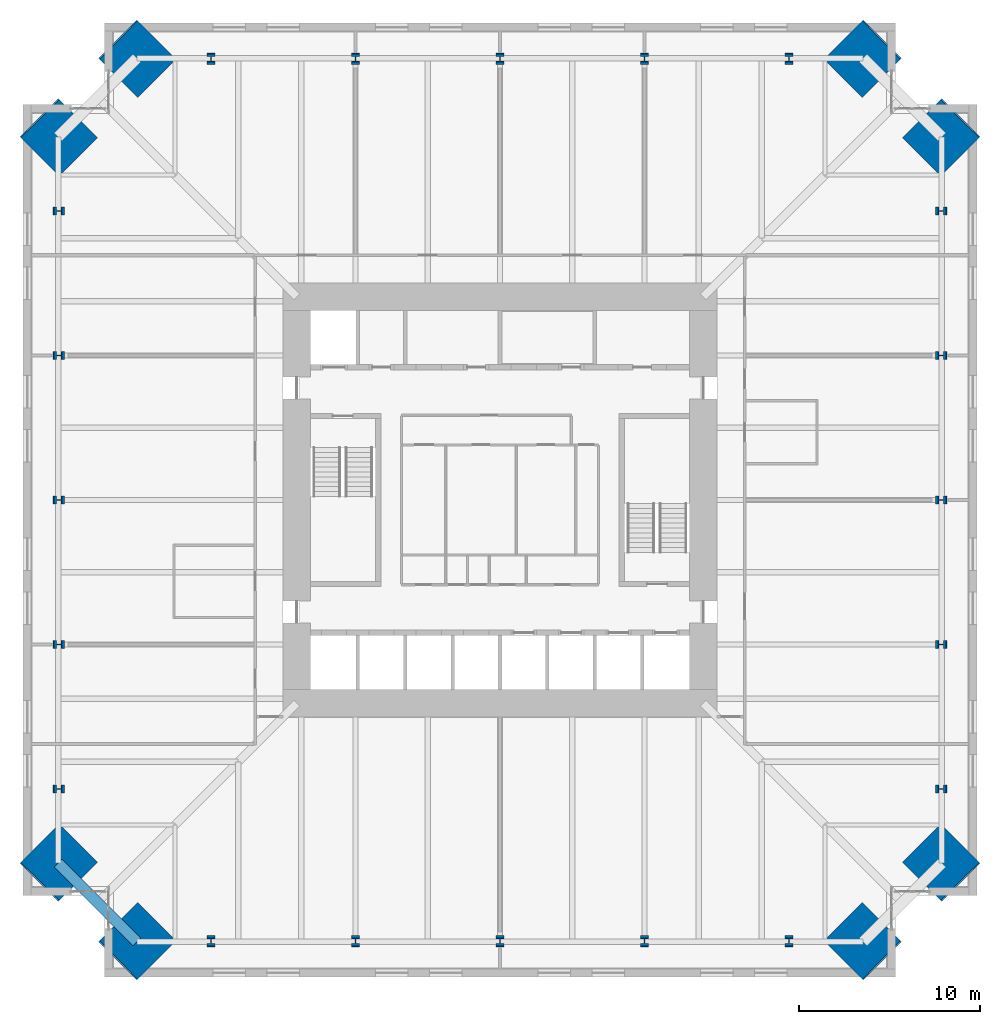
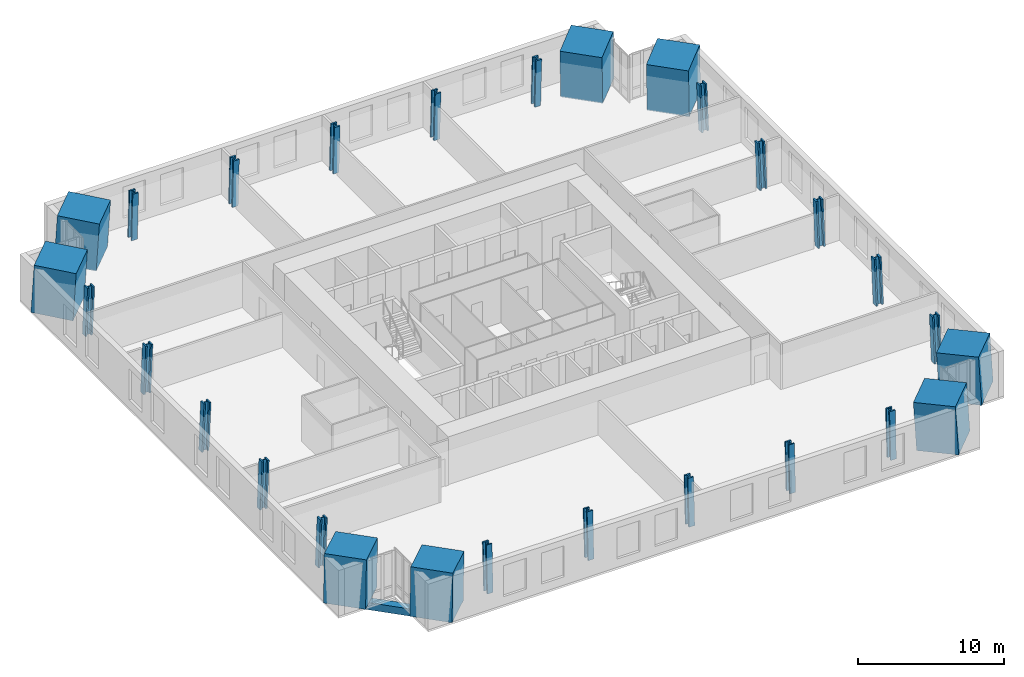
# One storey, part 1 of 18: 28 columns, 1 beam.
"""IFC4 building model written with IfcOpenShell, lengths in metres."""

from ifc_helpers import new_model, si_unit, direction, frame, origin, origin_2d, place, context, subcontext, project, spatial, rectangle, hollow_rectangle, i_section, extrude, material, material_profile, profile_set, type_object, element, save


model = new_model("IFC4")

# Units and contexts
model_context = context("Model", 3, precision=1e-05, world=origin(), true_north=direction((0.0, 1.0)))
body_context = subcontext(model_context, "Body", "Model", "MODEL_VIEW")
ifc_project = project(units=[si_unit("LENGTHUNIT", "METRE"), si_unit("AREAUNIT", "SQUARE_METRE"), si_unit("VOLUMEUNIT", "CUBIC_METRE"), si_unit("PLANEANGLEUNIT", "RADIAN"), si_unit("MASSUNIT", "GRAM", prefix="KILO")], contexts=[model_context])

# Site, building, storey
site_placement = place(None, origin())
site = spatial("IfcSite", under=ifc_project, at=site_placement, CompositionType="ELEMENT")
building_placement = place(site_placement, origin())
building = spatial("IfcBuilding", under=site, at=building_placement, Name="Peilmerk Tower", CompositionType="ELEMENT")
storey_placement = place(building_placement, frame((0.0, 0.0, 159.800048828125)))
storey = spatial("IfcBuildingStorey", under=building, at=storey_placement, Name="L33", CompositionType="ELEMENT", Elevation=159.800048828125)

# Columns
ifc_material_1 = material(Name="Concrete C90/105", Category="concrete")
ifc_material_profile_1 = material_profile(ifc_material_1, rectangle(XDim=3.0, YDim=3.0, at=origin_2d()), Name="RC 3000x3000")
ifc_profile_set_1 = profile_set([ifc_material_profile_1], Name="Concrete C90/105")
column_type_1 = type_object("IfcColumnType", Name="MC2 3000x3000 encased mega column", PredefinedType="COLUMN", material=ifc_profile_set_1)
for number, where, z_axis, x_axis, name in (
    (1, (20.103271484375, 24.453125, 0.0), (-0.040278830354, -0.040217894151, 0.998378754189), (0.706571297296, -0.707641859868, 0.0), "Mega column MC2 NE_N L33"),
    (2, (24.453125, 20.103271484375, 0.0), (-0.040217894151, -0.040278830354, 0.998378754189), (0.707641859868, -0.706571297296, 0.0), "Mega column MC2 NE_E L33"),
    (3, (24.453125, -20.103271484375, 0.0), (-0.040217894151, 0.040278830354, 0.998378754189), (-0.707641859868, -0.706571297296, 0.0), "Mega column MC2 SE_E L33"),
    (4, (20.103271484375, -24.453125, 0.0), (-0.040278830354, 0.040217894151, 0.998378754189), (-0.706571297296, -0.707641859868, 0.0), "Mega column MC2 SE_S L33"),
    (5, (-20.103271484375, -24.453125, 0.0), (0.040278830354, 0.040217894151, 0.998378754189), (-0.706571297296, 0.707641859868, 0.0), "Mega column MC2 SW_S L33"),
    (6, (-24.453125, -20.103271484375, 0.0), (0.040217894151, 0.040278830354, 0.998378754189), (-0.707641859868, 0.706571297296, 0.0), "Mega column MC2 SW_W L33"),
    (7, (-24.453125, 20.103271484375, 0.0), (0.040217894151, -0.040278830354, 0.998378754189), (0.707641859868, 0.706571297296, 0.0), "Mega column MC2 NW_W L33"),
    (8, (-20.103271484375, 24.453125, 0.0), (0.040278830354, -0.040217894151, 0.998378754189), (0.706571297296, 0.707641859868, 0.0), "Mega column MC2 NW_N L33"),
):
    element("IfcColumn", number, at=place(storey_placement, frame(where, z_axis=z_axis, x_axis=x_axis)), inside=storey, type_object=column_type_1, Name=name, PredefinedType="COLUMN", context=body_context, shape_type="SweptSolid", body=[
        extrude(rectangle(XDim=3.0, YDim=3.0, at=origin_2d()), origin(), (0.0, 0.0, 1.0), 4.006591796875),
    ])
ifc_material_2 = material(Name="Steel S460", Category="steel")
ifc_material_profile_2 = material_profile(ifc_material_2, i_section(OverallWidth=0.4541015625, OverallDepth=0.569091796875, WebThickness=0.077880859375, FlangeThickness=0.125, at=origin_2d()), Name="HD 400x1086")
ifc_profile_set_2 = profile_set([ifc_material_profile_2], Name="Steel S460")
column_type_2 = type_object("IfcColumnType", Name="SC6 HD 400x1086 interior column", PredefinedType="COLUMN", material=ifc_profile_set_2)
for number, where, z_axis, x_axis, name in (
    (9, (0.0, 24.453125, 0.0), (0.0, -0.040250558339, 0.999189617917), (1.0, 0.0, 0.0), "Perimeter column N+0 L33"),
    (10, (8.0, 24.453125, 0.0), (0.0, -0.040250558339, 0.999189617917), (1.0, 0.0, 0.0), "Perimeter column N-8 L33"),
    (11, (-8.0, 24.453125, 0.0), (0.0, -0.040250558339, 0.999189617917), (1.0, 0.0, 0.0), "Perimeter column N+8 L33"),
    (12, (16.0, 24.453125, 0.0), (0.0, -0.040250558339, 0.999189617917), (1.0, 0.0, 0.0), "Perimeter column N-16 L33"),
    (13, (-16.0, 24.453125, 0.0), (0.0, -0.040250558339, 0.999189617917), (1.0, 0.0, 0.0), "Perimeter column N+16 L33"),
    (14, (24.453125, 0.0, 0.0), (-0.040250558339, 0.0, 0.999189617917), (0.0, -1.0, 0.0), "Perimeter column E+0 L33"),
    (15, (24.453125, -8.0, 0.0), (-0.040250558339, 0.0, 0.999189617917), (0.0, -1.0, 0.0), "Perimeter column E-8 L33"),
    (16, (24.453125, 8.0, 0.0), (-0.040250558339, 0.0, 0.999189617917), (0.0, -1.0, 0.0), "Perimeter column E+8 L33"),
    (17, (24.453125, -16.0, 0.0), (-0.040250558339, 0.0, 0.999189617917), (0.0, -1.0, 0.0), "Perimeter column E-16 L33"),
    (18, (24.453125, 16.0, 0.0), (-0.040250558339, 0.0, 0.999189617917), (0.0, -1.0, 0.0), "Perimeter column E+16 L33"),
    (19, (0.0, -24.453125, 0.0), (0.0, 0.040250558339, 0.999189617917), (-1.0, 0.0, 0.0), "Perimeter column S+0 L33"),
    (20, (-8.0, -24.453125, 0.0), (0.0, 0.040250558339, 0.999189617917), (-1.0, 0.0, 0.0), "Perimeter column S-8 L33"),
    (21, (8.0, -24.453125, 0.0), (0.0, 0.040250558339, 0.999189617917), (-1.0, 0.0, 0.0), "Perimeter column S+8 L33"),
    (22, (-16.0, -24.453125, 0.0), (0.0, 0.040250558339, 0.999189617917), (-1.0, 0.0, 0.0), "Perimeter column S-16 L33"),
    (23, (16.0, -24.453125, 0.0), (0.0, 0.040250558339, 0.999189617917), (-1.0, 0.0, 0.0), "Perimeter column S+16 L33"),
    (24, (-24.453125, 0.0, 0.0), (0.040250558339, 0.0, 0.999189617917), (0.0, 1.0, 0.0), "Perimeter column W+0 L33"),
    (25, (-24.453125, 8.0, 0.0), (0.040250558339, 0.0, 0.999189617917), (0.0, 1.0, 0.0), "Perimeter column W-8 L33"),
    (26, (-24.453125, -8.0, 0.0), (0.040250558339, 0.0, 0.999189617917), (0.0, 1.0, 0.0), "Perimeter column W+8 L33"),
    (27, (-24.453125, 16.0, 0.0), (0.040250558339, 0.0, 0.999189617917), (0.0, 1.0, 0.0), "Perimeter column W-16 L33"),
    (28, (-24.453125, -16.0, 0.0), (0.040250558339, 0.0, 0.999189617917), (0.0, 1.0, 0.0), "Perimeter column W+16 L33"),
):
    element("IfcColumn", number, at=place(storey_placement, frame(where, z_axis=z_axis, x_axis=x_axis)), inside=storey, type_object=column_type_2, Name=name, PredefinedType="COLUMN", context=body_context, shape_type="SweptSolid", body=[
        extrude(i_section(OverallWidth=0.4541015625, OverallDepth=0.569091796875, WebThickness=0.077880859375, FlangeThickness=0.125, at=origin_2d()), origin(), (0.0, 0.0, 1.0), 4.003173828125),
    ])

# Beam
ifc_material_profile_3 = material_profile(ifc_material_2, hollow_rectangle(XDim=0.60009765625, YDim=0.60009765625, WallThickness=0.06005859375, at=origin_2d()), Name="BOX 600x600x60")
ifc_profile_set_3 = profile_set([ifc_material_profile_3], Name="Steel S460")
beam_type = type_object("IfcBeamType", Name="B20 BOX 600x600x60 notch beam", PredefinedType="SPANDREL", material=ifc_profile_set_3)
beam_placement = place(storey_placement, frame((-20.103271484375, -24.453125, -0.469970703125), z_axis=(-0.707106781187, 0.707106781187, 0.0), x_axis=(-0.707106781187, -0.707106781187, 0.0)))
element("IfcBeam", 29, at=beam_placement, inside=storey, type_object=beam_type, Name="Notch beam L33", PredefinedType="SPANDREL", context=body_context, shape_type="SweptSolid", body=[
    extrude(hollow_rectangle(XDim=0.60009765625, YDim=0.60009765625, WallThickness=0.06005859375, at=origin_2d()), origin(), (0.0, 0.0, 1.0), 6.151611328125),
])

save(model, "model.ifc")
